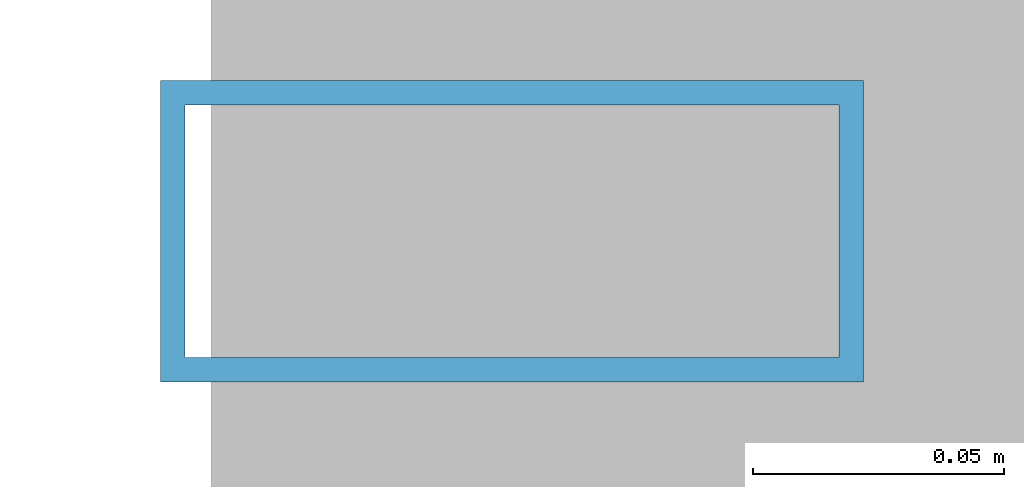
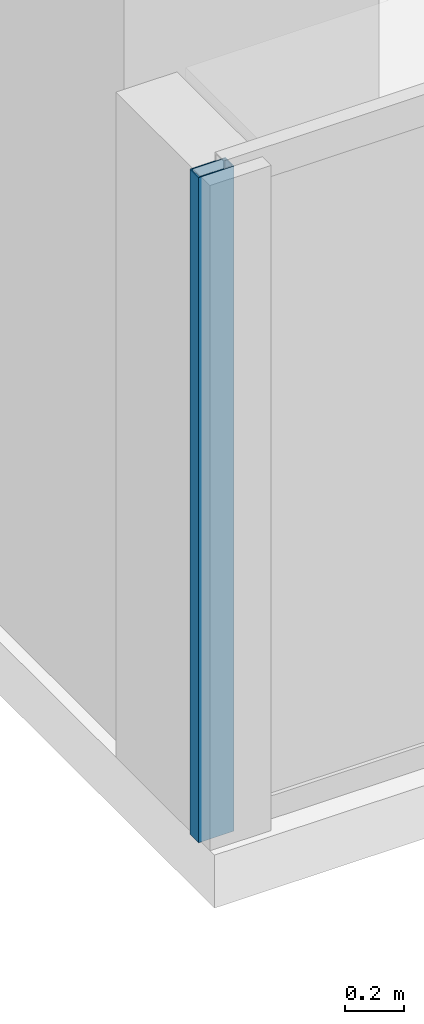
# One storey, part 6 of 29: 1 member, 1 element without a shape of its own.
"""IFC4 building model written with IfcOpenShell, lengths in metres."""

import ifcopenshell
import ifcopenshell.guid

model = None  # the IFC model being written
_history = None  # IfcOwnerHistory: only IFC2X3 demands one
_inside = {}  # id of a spatial element -> (the spatial element, [elements in it])
_under = {}  # id of a project, library or spatial element -> (it, [spatial elements below it])
_declared = {}  # id of a project -> (the project, [libraries it declares])
_typed = {}  # id of a type object -> (the type object, [elements of that type])
_made_of = {}  # id of a material, layer set ... -> (it, [elements and type objects made of it])


def new_model(schema):
    """Start an empty IFC model of exactly this schema.

    Asked for "IFC4X3", IfcOpenShell would pick the latest addendum, in which some entities
    have other attributes; the version numbers below select the first issue.
    IFC2X3 requires an IfcOwnerHistory on every rooted entity: one is made here for all.
    """
    global model, _history
    if schema == "IFC4X3":
        model = ifcopenshell.file(schema_version=(4, 3, 0, 0))
    else:
        model = ifcopenshell.file(schema=schema)
    _inside.clear()
    _under.clear()
    _declared.clear()
    _typed.clear()
    _made_of.clear()
    _history = None
    if model.schema == "IFC2X3":
        org = make("IfcOrganization", Name="unknown")
        user = make(
            "IfcPersonAndOrganization",
            ThePerson=make("IfcPerson", FamilyName="unknown"),
            TheOrganization=org,
        )
        app = make(
            "IfcApplication",
            ApplicationDeveloper=org,
            Version="unknown",
            ApplicationFullName="unknown",
            ApplicationIdentifier="unknown",
        )
        _history = make(
            "IfcOwnerHistory",
            OwningUser=user,
            OwningApplication=app,
            ChangeAction="ADDED",
            CreationDate=0,
        )
    return model


def make(cls, **values):
    """One entity of the class cls with the attributes given. An attribute that is None is left unset."""
    return model.create_entity(
        cls, **{name: value for name, value in values.items() if value is not None}
    )


def rooted(cls, **values):
    """An entity with a GlobalId (a new one), such as an element, a storey or a relation."""
    return make(cls, GlobalId=ifcopenshell.guid.new(), OwnerHistory=_history, **values)


def si_unit(unit_type, name, prefix=None):
    """IfcSIUnit, for example si_unit("LENGTHUNIT", "METRE", prefix="MILLI")."""
    return make("IfcSIUnit", UnitType=unit_type, Prefix=prefix, Name=name)


def assignment(units):
    """IfcUnitAssignment: the units of a project."""
    return None if units is None else make("IfcUnitAssignment", Units=units)


def point(xyz):
    """IfcCartesianPoint."""
    return None if xyz is None else make("IfcCartesianPoint", Coordinates=xyz)


def direction(xyz):
    """IfcDirection."""
    return None if xyz is None else make("IfcDirection", DirectionRatios=xyz)


def frame(location, z_axis=None, x_axis=None):
    """IfcAxis2Placement3D, a coordinate frame: its origin and axes. An axis left out is left unset."""
    return make(
        "IfcAxis2Placement3D",
        Location=point(location),
        Axis=direction(z_axis),
        RefDirection=direction(x_axis),
    )


def frame_2d(location, x_axis=None):
    """IfcAxis2Placement2D, a coordinate frame in the plane: its origin and x axis."""
    return make(
        "IfcAxis2Placement2D", Location=point(location), RefDirection=direction(x_axis)
    )


def origin():
    """The frame at (0, 0, 0) with its axes left unset."""
    return frame((0.0, 0.0, 0.0))


def origin_2d():
    """The frame at (0, 0) in the plane with its x axis left unset."""
    return frame_2d((0.0, 0.0))


def place(relative_to, where):
    """IfcLocalPlacement: puts the frame where relative to a parent placement (None: the world)."""
    return make(
        "IfcLocalPlacement", PlacementRelTo=relative_to, RelativePlacement=where
    )


def context(
    kind, dimensions, precision=None, world=None, true_north=None, identifier=None
):
    """IfcGeometricRepresentationContext, for example the 3D "Model" context."""
    return make(
        "IfcGeometricRepresentationContext",
        ContextIdentifier=identifier,
        ContextType=kind,
        CoordinateSpaceDimension=dimensions,
        Precision=precision,
        WorldCoordinateSystem=world,
        TrueNorth=true_north,
    )


def subcontext(parent, identifier, kind, view, scale=None):
    """IfcGeometricRepresentationSubContext, for example "Body" below "Model"."""
    return make(
        "IfcGeometricRepresentationSubContext",
        ContextIdentifier=identifier,
        ContextType=kind,
        ParentContext=parent,
        TargetScale=scale,
        TargetView=view,
    )


def project(units=None, contexts=None):
    """IfcProject with its units and contexts."""
    return rooted(
        "IfcProject",
        Name="project",
        RepresentationContexts=contexts,
        UnitsInContext=assignment(units),
    )


def spatial(cls, under=None, at=None, **own):
    """A site, building, storey or space (cls), placed at a placement, below another one or the project."""
    s = rooted(cls, ObjectPlacement=at, **own)
    if under is not None:
        _under.setdefault(under.id(), (under, []))[1].append(s)
    return s


def profile(cls, at=None, kind="AREA", **sizes):
    """A parametric profile (cls). Its sizes go by their IFC names, for example OverallWidth=200.0."""
    return make(cls, ProfileType=kind, Position=at, **sizes)


def hollow_rectangle(**sizes):
    """IfcRectangleHollowProfileDef."""
    return profile("IfcRectangleHollowProfileDef", **sizes)


def extrude(swept, where, along, depth):
    """IfcExtrudedAreaSolid: the profile swept, set in the frame where, extruded along a direction by depth."""
    return make(
        "IfcExtrudedAreaSolid",
        SweptArea=swept,
        Position=where,
        ExtrudedDirection=direction(along),
        Depth=depth,
    )


def shape(context_of_items, identifier, shape_type, items):
    """IfcShapeRepresentation: the items that make up one representation, for example the "Body"."""
    return make(
        "IfcShapeRepresentation",
        ContextOfItems=context_of_items,
        RepresentationIdentifier=identifier,
        RepresentationType=shape_type,
        Items=items,
    )


def source(mapping_origin, context_of_items, identifier, shape_type, items):
    """IfcRepresentationMap: a shape defined once, which mapped items show again and again."""
    return make(
        "IfcRepresentationMap",
        MappingOrigin=mapping_origin,
        MappedRepresentation=shape(context_of_items, identifier, shape_type, items),
    )


def transform(
    local_origin,
    x_axis=None,
    y_axis=None,
    z_axis=None,
    scale=None,
    scale2=None,
    scale3=None,
    uniform=True,
):
    """IfcCartesianTransformationOperator3D, or its non-uniform kind. x_axis, y_axis, z_axis: its Axis1, 2, 3."""
    if uniform:
        return make(
            "IfcCartesianTransformationOperator3D",
            Axis1=direction(x_axis),
            Axis2=direction(y_axis),
            LocalOrigin=point(local_origin),
            Scale=scale,
            Axis3=direction(z_axis),
        )
    return make(
        "IfcCartesianTransformationOperator3DnonUniform",
        Axis1=direction(x_axis),
        Axis2=direction(y_axis),
        LocalOrigin=point(local_origin),
        Scale=scale,
        Axis3=direction(z_axis),
        Scale2=scale2,
        Scale3=scale3,
    )


def mapped(mapping_source, mapping_target):
    """IfcMappedItem: shows the shape of a source again, moved by a transform."""
    return make(
        "IfcMappedItem", MappingSource=mapping_source, MappingTarget=mapping_target
    )


def material(Name=None, Category=None):
    """IfcMaterial."""
    return make("IfcMaterial", Name=Name, Category=Category)


def layer(
    of_material, thickness, ventilated=None, Name=None, Category=None, Priority=None
):
    """IfcMaterialLayer: one layer of a wall or slab, of a material (None: an air gap)."""
    return make(
        "IfcMaterialLayer",
        Material=of_material,
        LayerThickness=thickness,
        IsVentilated=ventilated,
        Name=Name,
        Category=Category,
        Priority=Priority,
    )


def layer_set(layers, Name=None):
    """IfcMaterialLayerSet."""
    return make("IfcMaterialLayerSet", MaterialLayers=layers, LayerSetName=Name)


def material_profile(
    of_material, cross_section, Name=None, Category=None, Priority=None
):
    """IfcMaterialProfile: a cross section and its material."""
    return make(
        "IfcMaterialProfile",
        Name=Name,
        Material=of_material,
        Profile=cross_section,
        Priority=Priority,
        Category=Category,
    )


def profile_set(profiles, Name=None, composite=None):
    """IfcMaterialProfileSet."""
    return make(
        "IfcMaterialProfileSet",
        Name=Name,
        MaterialProfiles=profiles,
        CompositeProfile=composite,
    )


def made_of(thing, what):
    """Note that an element or type object is made of a material, layer set ...; save() writes the relation."""
    if what is not None:
        _made_of.setdefault(what.id(), (what, []))[1].append(thing)
    return thing


def type_object(cls, material=None, **own):
    """A type object (cls), such as IfcWallType, which elements share."""
    return made_of(rooted(cls, **own), material)


def element(
    cls,
    number,
    at=None,
    inside=None,
    cuts=None,
    type_object=None,
    material=None,
    context=None,
    identifier="Body",
    shape_type=None,
    held_by="IfcProductDefinitionShape",
    body=None,
    shapes=None,
    **own,
):
    """One element of the class cls, such as IfcWall. Its Tag is "e" and its number.

    at: its placement. inside: the storey or other place that contains it. cuts: it is an
    opening in that element (IfcRelVoidsElement). A single representation is given by context,
    identifier, shape_type and body (its items); several are given by shapes. held_by: the class
    of the entity that holds the representations. save() writes the other relations.
    """
    e = rooted(cls, Tag="e%d" % number, ObjectPlacement=at, **own)
    if body is not None:
        shapes = [shape(context, identifier, shape_type, body)]
    if shapes is not None:
        e.Representation = make(held_by, Representations=shapes)
    if inside is not None:
        _inside.setdefault(inside.id(), (inside, []))[1].append(e)
    if cuts is not None:
        rooted(
            "IfcRelVoidsElement", RelatingBuildingElement=cuts, RelatedOpeningElement=e
        )
    if type_object is not None:
        _typed.setdefault(type_object.id(), (type_object, []))[1].append(e)
    return made_of(e, material)


def aggregate(whole, parts):
    """IfcRelAggregates: a whole, such as a stair, and the parts it consists of."""
    return rooted("IfcRelAggregates", RelatingObject=whole, RelatedObjects=parts)


def save(model, path):
    """Write the relations noted so far, then the file.

    IfcRelAggregates (storeys below a building ...), IfcRelContainedInSpatialStructure (elements
    in a storey), IfcRelDefinesByType, IfcRelAssociatesMaterial and IfcRelDeclares: one each for
    every whole, place, type object, material and project.
    """
    for whole, parts in _under.values():
        aggregate(whole, parts)
    for where, things in _inside.values():
        rooted(
            "IfcRelContainedInSpatialStructure",
            RelatedElements=things,
            RelatingStructure=where,
        )
    for kind, things in _typed.values():
        rooted("IfcRelDefinesByType", RelatedObjects=things, RelatingType=kind)
    for what, things in _made_of.values():
        rooted("IfcRelAssociatesMaterial", RelatedObjects=things, RelatingMaterial=what)
    for by, libraries in _declared.values():
        rooted("IfcRelDeclares", RelatingContext=by, RelatedDefinitions=libraries)
    model.write(path)


model = new_model("IFC4")

# Units and contexts
model_context = context("Model", 3, precision=1e-05, world=origin(), true_north=direction((0.0, 1.0)))
body_context = subcontext(model_context, "Body", "Model", "MODEL_VIEW")
ifc_project = project(units=[si_unit("LENGTHUNIT", "METRE"), si_unit("AREAUNIT", "SQUARE_METRE"), si_unit("VOLUMEUNIT", "CUBIC_METRE"), si_unit("PLANEANGLEUNIT", "RADIAN"), si_unit("MASSUNIT", "GRAM", prefix="KILO")], contexts=[model_context])

# Site, building, storey
site_placement = place(None, origin())
site = spatial("IfcSite", under=ifc_project, at=site_placement, CompositionType="ELEMENT")
building_placement = place(site_placement, origin())
building = spatial("IfcBuilding", under=site, at=building_placement, Name="Sumidabori Civic Tower", CompositionType="ELEMENT")
storey_placement = place(building_placement, frame((0.0, 0.0, 207.199951171875)))
storey = spatial("IfcBuildingStorey", under=building, at=storey_placement, Name="L53", CompositionType="ELEMENT", Elevation=207.199951171875)

# Curtain wall, member
ifc_material = material(Name="Anodised Bronze Aluminium AW-6063-T6", Category="aluminium")
ifc_layer = layer(ifc_material, 0.179931640625, Name="Anodised Bronze Aluminium AW-6063-T6")
ifc_layer_set = layer_set([ifc_layer], Name="Anodised Bronze Aluminium AW-6063-T6")
curtain_wall_type = type_object("IfcCurtainWallType", Name="CW-SYS-5", PredefinedType="NOTDEFINED", material=ifc_layer_set)
curtain_wall_placement = place(storey_placement, origin())
curtain_wall = element("IfcCurtainWall", 1, at=curtain_wall_placement, inside=storey, type_object=curtain_wall_type, Name="Curtain Wall CW:L53:R09", PredefinedType="NOTDEFINED")
ifc_material_profile = material_profile(ifc_material, hollow_rectangle(XDim=0.06005859375, YDim=0.139892578125, WallThickness=0.0048828125, at=origin_2d()), Name="ALU MULLION 140x60")
ifc_profile_set = profile_set([ifc_material_profile], Name="Anodised Bronze Aluminium AW-6063-T6")
member_type = type_object("IfcMemberType", Name="CW-MUL-140", PredefinedType="MULLION", material=ifc_profile_set)
shared_shape = source(origin(), body_context, "Body", "SweptSolid", [
    extrude(hollow_rectangle(XDim=0.06005859375, YDim=0.139892578125, WallThickness=0.0048828125, at=origin_2d()), origin(), (0.0, 0.0, 1.0), 2.760009765625),
])
member_placement = place(storey_placement, frame((7.909912109375, -11.8798828125, 0.0), z_axis=(0.0, 0.0, 1.0), x_axis=(0.0, 1.0, 0.0)))
member = element("IfcMember", 2, at=member_placement, type_object=member_type, Name="CW-5 mullion 1", PredefinedType="MULLION", context=body_context, shape_type="MappedRepresentation", body=[
    mapped(shared_shape, transform((0.0, 0.0, 0.0), x_axis=(1.0, 0.0, 0.0), y_axis=(0.0, 1.0, 0.0), z_axis=(0.0, 0.0, 1.0), scale=1.0)),
])
aggregate(curtain_wall, [member])

save(model, "model.ifc")
